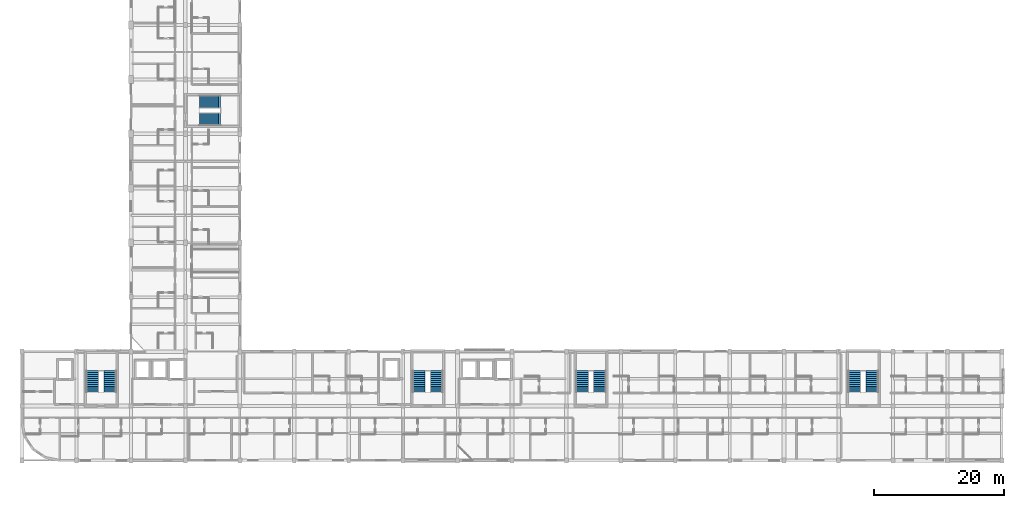
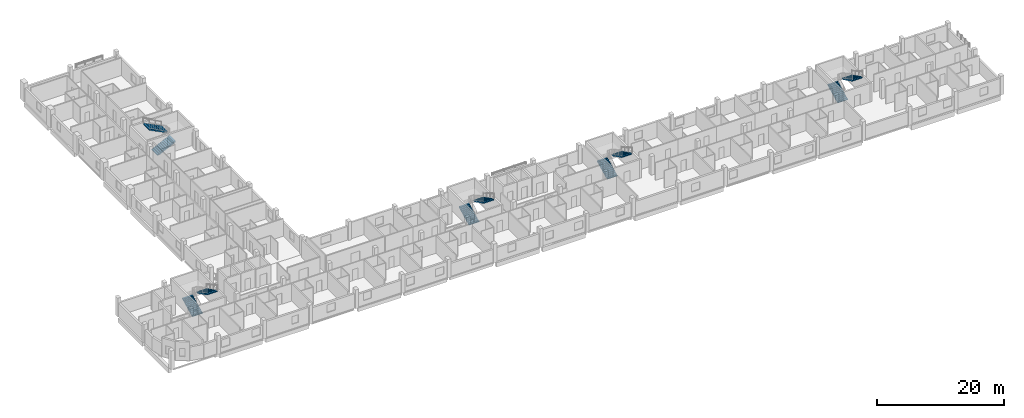
# One storey, part 24 of 26: 10 stair flights, 5 elements without a shape of their own.
"""IFC4 building model written with IfcOpenShell, lengths in metres."""

from ifc_helpers import new_model, si_unit, derived_unit, direction, frame, origin, place, context, subcontext, project, spatial, polyline, outline, extrude, material, type_object, element, aggregate, save


model = new_model("IFC4")

# Units and contexts
model_context = context("Model", 3, precision=1e-05, world=origin(), true_north=direction((0.0, 1.0)))
body_context = subcontext(model_context, "Body", "Model", "MODEL_VIEW")
ifc_project = project(units=[si_unit("LENGTHUNIT", "METRE"), si_unit("AREAUNIT", "SQUARE_METRE"), si_unit("VOLUMEUNIT", "CUBIC_METRE"), si_unit("PLANEANGLEUNIT", "RADIAN"), si_unit("MASSUNIT", "GRAM", prefix="KILO"), derived_unit("THERMALTRANSMITTANCEUNIT", [(si_unit("POWERUNIT", "WATT"), 1), (si_unit("LENGTHUNIT", "METRE"), -2), (si_unit("THERMODYNAMICTEMPERATUREUNIT", "KELVIN"), -1)])], contexts=[model_context])

# Site, building, storey
site_placement = place(None, origin())
site = spatial("IfcSite", under=ifc_project, at=site_placement, CompositionType="ELEMENT")
building_placement = place(site_placement, origin())
building = spatial("IfcBuilding", under=site, at=building_placement, Name="Barrovel Congress Hotel", CompositionType="ELEMENT")
storey_placement = place(building_placement, frame((0.0, 0.0, 21.89990234375)))
storey = spatial("IfcBuildingStorey", under=building, at=storey_placement, Name="L05", CompositionType="ELEMENT", Elevation=21.89990234375)

# Stair, stair flights
ifc_material = material(Name="Concrete C40", Category="concrete")
stair_type_1 = type_object("IfcStairType", Name="STR-HT-360", PredefinedType="HALF_TURN_STAIR", material=ifc_material)
stair_1_placement = place(storey_placement, origin())
stair_1 = element("IfcStair", 1, at=stair_1_placement, inside=storey, type_object=stair_type_1, Name="Exit Stair XS-01 (L05)", PredefinedType="HALF_TURN_STAIR")
stair_flight_type_1 = type_object("IfcStairFlightType", Name="SFL-200x180", PredefinedType="STRAIGHT", material=ifc_material)
stair_flight_1_placement = place(storey_placement, frame((27.679931640625, 14.739990234375, 0.0), z_axis=(0.0, 0.0, 1.0), x_axis=(0.0, 1.0, 0.0)))
stair_flight_1 = element("IfcStairFlight", 2, at=stair_flight_1_placement, type_object=stair_flight_type_1, Name="STAIR:XS-01:L05:F1", NumberOfRisers=12, NumberOfTreads=11, PredefinedType="STRAIGHT", RiserHeight=0.15, TreadLength=0.3, context=body_context, shape_type="SweptSolid", body=[
    extrude(outline(polyline([(0.0, 0.0), (0.0, 0.14990234375), (0.300048828125, 0.14990234375), (0.300048828125, 0.300048828125), (0.60009765625, 0.300048828125), (0.60009765625, 0.449951171875), (0.89990234375, 0.449951171875), (0.89990234375, 0.60009765625), (1.199951171875, 0.60009765625), (1.199951171875, 0.75), (1.5, 0.75), (1.5, 0.89990234375), (1.800048828125, 0.89990234375), (1.800048828125, 1.050048828125), (2.10009765625, 1.050048828125), (2.10009765625, 1.199951171875), (2.39990234375, 1.199951171875), (2.39990234375, 1.35009765625), (2.699951171875, 1.35009765625), (2.699951171875, 1.5), (3.0, 1.5), (3.0, 1.64990234375), (3.300048828125, 1.64990234375), (3.300048828125, 1.800048828125), (3.300048828125, 1.44873046875), (0.40234375, 0.0), (0.0, 0.0)])), frame((0.0, 0.919921875, 0.0), z_axis=(0.0, -1.0, 0.0), x_axis=(1.0, 0.0, 0.0)), (0.0, 0.0, 1.0), 1.840087890625),
])
stair_flight_2_placement = place(storey_placement, frame((30.320068359375, 18.0400390625, 1.800048828125), z_axis=(0.0, 0.0, 1.0), x_axis=(0.0, -1.0, 0.0)))
stair_flight_2 = element("IfcStairFlight", 3, at=stair_flight_2_placement, type_object=stair_flight_type_1, Name="STAIR:XS-01:L05:F2", NumberOfRisers=12, NumberOfTreads=11, PredefinedType="STRAIGHT", RiserHeight=0.15, TreadLength=0.3, context=body_context, shape_type="SweptSolid", body=[
    extrude(outline(polyline([(0.0, 0.0), (0.0, 0.14990234375), (0.300048828125, 0.14990234375), (0.300048828125, 0.300048828125), (0.60009765625, 0.300048828125), (0.60009765625, 0.449951171875), (0.89990234375, 0.449951171875), (0.89990234375, 0.60009765625), (1.199951171875, 0.60009765625), (1.199951171875, 0.75), (1.5, 0.75), (1.5, 0.89990234375), (1.800048828125, 0.89990234375), (1.800048828125, 1.050048828125), (2.10009765625, 1.050048828125), (2.10009765625, 1.199951171875), (2.39990234375, 1.199951171875), (2.39990234375, 1.35009765625), (2.699951171875, 1.35009765625), (2.699951171875, 1.5), (3.0, 1.5), (3.0, 1.64990234375), (3.300048828125, 1.64990234375), (3.300048828125, 1.800048828125), (3.300048828125, 1.44873046875), (0.40234375, 0.0), (0.0, 0.0)])), frame((0.0, 0.919921875, 0.0), z_axis=(0.0, -1.0, 0.0), x_axis=(1.0, 0.0, 0.0)), (0.0, 0.0, 1.0), 1.840087890625),
])
aggregate(stair_1, [stair_flight_1, stair_flight_2])

stair_2_placement = place(storey_placement, origin())
stair_2 = element("IfcStair", 4, at=stair_2_placement, inside=storey, type_object=stair_type_1, Name="Exit Stair XS-02 (L05)", PredefinedType="HALF_TURN_STAIR")
stair_flight_3_placement = place(storey_placement, frame((78.080078125, 14.739990234375, 0.0), z_axis=(0.0, 0.0, 1.0), x_axis=(0.0, 1.0, 0.0)))
stair_flight_3 = element("IfcStairFlight", 5, at=stair_flight_3_placement, type_object=stair_flight_type_1, Name="STAIR:XS-02:L05:F1", NumberOfRisers=12, NumberOfTreads=11, PredefinedType="STRAIGHT", RiserHeight=0.15, TreadLength=0.3, context=body_context, shape_type="SweptSolid", body=[
    extrude(outline(polyline([(0.0, 0.0), (0.0, 0.14990234375), (0.300048828125, 0.14990234375), (0.300048828125, 0.300048828125), (0.60009765625, 0.300048828125), (0.60009765625, 0.449951171875), (0.89990234375, 0.449951171875), (0.89990234375, 0.60009765625), (1.199951171875, 0.60009765625), (1.199951171875, 0.75), (1.5, 0.75), (1.5, 0.89990234375), (1.800048828125, 0.89990234375), (1.800048828125, 1.050048828125), (2.10009765625, 1.050048828125), (2.10009765625, 1.199951171875), (2.39990234375, 1.199951171875), (2.39990234375, 1.35009765625), (2.699951171875, 1.35009765625), (2.699951171875, 1.5), (3.0, 1.5), (3.0, 1.64990234375), (3.300048828125, 1.64990234375), (3.300048828125, 1.800048828125), (3.300048828125, 1.44873046875), (0.40234375, 0.0), (0.0, 0.0)])), frame((0.0, 0.919921875, 0.0), z_axis=(0.0, -1.0, 0.0), x_axis=(1.0, 0.0, 0.0)), (0.0, 0.0, 1.0), 1.840087890625),
])
stair_flight_4_placement = place(storey_placement, frame((80.719970703125, 18.0400390625, 1.800048828125), z_axis=(0.0, 0.0, 1.0), x_axis=(0.0, -1.0, 0.0)))
stair_flight_4 = element("IfcStairFlight", 6, at=stair_flight_4_placement, type_object=stair_flight_type_1, Name="STAIR:XS-02:L05:F2", NumberOfRisers=12, NumberOfTreads=11, PredefinedType="STRAIGHT", RiserHeight=0.15, TreadLength=0.3, context=body_context, shape_type="SweptSolid", body=[
    extrude(outline(polyline([(0.0, 0.0), (0.0, 0.14990234375), (0.300048828125, 0.14990234375), (0.300048828125, 0.300048828125), (0.60009765625, 0.300048828125), (0.60009765625, 0.449951171875), (0.89990234375, 0.449951171875), (0.89990234375, 0.60009765625), (1.199951171875, 0.60009765625), (1.199951171875, 0.75), (1.5, 0.75), (1.5, 0.89990234375), (1.800048828125, 0.89990234375), (1.800048828125, 1.050048828125), (2.10009765625, 1.050048828125), (2.10009765625, 1.199951171875), (2.39990234375, 1.199951171875), (2.39990234375, 1.35009765625), (2.699951171875, 1.35009765625), (2.699951171875, 1.5), (3.0, 1.5), (3.0, 1.64990234375), (3.300048828125, 1.64990234375), (3.300048828125, 1.800048828125), (3.300048828125, 1.44873046875), (0.40234375, 0.0), (0.0, 0.0)])), frame((0.0, 0.919921875, 0.0), z_axis=(0.0, -1.0, 0.0), x_axis=(1.0, 0.0, 0.0)), (0.0, 0.0, 1.0), 1.840087890625),
])
aggregate(stair_2, [stair_flight_3, stair_flight_4])

stair_3_placement = place(storey_placement, origin())
stair_3 = element("IfcStair", 7, at=stair_3_placement, inside=storey, type_object=stair_type_1, Name="Exit Stair XS-03 (L05)", PredefinedType="HALF_TURN_STAIR")
stair_flight_5_placement = place(storey_placement, frame((103.280029296875, 14.739990234375, 0.0), z_axis=(0.0, 0.0, 1.0), x_axis=(0.0, 1.0, 0.0)))
stair_flight_5 = element("IfcStairFlight", 8, at=stair_flight_5_placement, type_object=stair_flight_type_1, Name="STAIR:XS-03:L05:F1", NumberOfRisers=12, NumberOfTreads=11, PredefinedType="STRAIGHT", RiserHeight=0.15, TreadLength=0.3, context=body_context, shape_type="SweptSolid", body=[
    extrude(outline(polyline([(0.0, 0.0), (0.0, 0.14990234375), (0.300048828125, 0.14990234375), (0.300048828125, 0.300048828125), (0.60009765625, 0.300048828125), (0.60009765625, 0.449951171875), (0.89990234375, 0.449951171875), (0.89990234375, 0.60009765625), (1.199951171875, 0.60009765625), (1.199951171875, 0.75), (1.5, 0.75), (1.5, 0.89990234375), (1.800048828125, 0.89990234375), (1.800048828125, 1.050048828125), (2.10009765625, 1.050048828125), (2.10009765625, 1.199951171875), (2.39990234375, 1.199951171875), (2.39990234375, 1.35009765625), (2.699951171875, 1.35009765625), (2.699951171875, 1.5), (3.0, 1.5), (3.0, 1.64990234375), (3.300048828125, 1.64990234375), (3.300048828125, 1.800048828125), (3.300048828125, 1.44873046875), (0.40234375, 0.0), (0.0, 0.0)])), frame((0.0, 0.919921875, 0.0), z_axis=(0.0, -1.0, 0.0), x_axis=(1.0, 0.0, 0.0)), (0.0, 0.0, 1.0), 1.840087890625),
])
stair_flight_6_placement = place(storey_placement, frame((105.919921875, 18.0400390625, 1.800048828125), z_axis=(0.0, 0.0, 1.0), x_axis=(0.0, -1.0, 0.0)))
stair_flight_6 = element("IfcStairFlight", 9, at=stair_flight_6_placement, type_object=stair_flight_type_1, Name="STAIR:XS-03:L05:F2", NumberOfRisers=12, NumberOfTreads=11, PredefinedType="STRAIGHT", RiserHeight=0.15, TreadLength=0.3, context=body_context, shape_type="SweptSolid", body=[
    extrude(outline(polyline([(0.0, 0.0), (0.0, 0.14990234375), (0.300048828125, 0.14990234375), (0.300048828125, 0.300048828125), (0.60009765625, 0.300048828125), (0.60009765625, 0.449951171875), (0.89990234375, 0.449951171875), (0.89990234375, 0.60009765625), (1.199951171875, 0.60009765625), (1.199951171875, 0.75), (1.5, 0.75), (1.5, 0.89990234375), (1.800048828125, 0.89990234375), (1.800048828125, 1.050048828125), (2.10009765625, 1.050048828125), (2.10009765625, 1.199951171875), (2.39990234375, 1.199951171875), (2.39990234375, 1.35009765625), (2.699951171875, 1.35009765625), (2.699951171875, 1.5), (3.0, 1.5), (3.0, 1.64990234375), (3.300048828125, 1.64990234375), (3.300048828125, 1.800048828125), (3.300048828125, 1.44873046875), (0.40234375, 0.0), (0.0, 0.0)])), frame((0.0, 0.919921875, 0.0), z_axis=(0.0, -1.0, 0.0), x_axis=(1.0, 0.0, 0.0)), (0.0, 0.0, 1.0), 1.840087890625),
])
aggregate(stair_3, [stair_flight_5, stair_flight_6])

stair_4_placement = place(storey_placement, origin())
stair_4 = element("IfcStair", 10, at=stair_4_placement, inside=storey, type_object=stair_type_1, Name="Exit Stair XS-04 (L05)", PredefinedType="HALF_TURN_STAIR")
stair_flight_7_placement = place(storey_placement, frame((145.280029296875, 14.739990234375, 0.0), z_axis=(0.0, 0.0, 1.0), x_axis=(0.0, 1.0, 0.0)))
stair_flight_7 = element("IfcStairFlight", 11, at=stair_flight_7_placement, type_object=stair_flight_type_1, Name="STAIR:XS-04:L05:F1", NumberOfRisers=12, NumberOfTreads=11, PredefinedType="STRAIGHT", RiserHeight=0.15, TreadLength=0.3, context=body_context, shape_type="SweptSolid", body=[
    extrude(outline(polyline([(0.0, 0.0), (0.0, 0.14990234375), (0.300048828125, 0.14990234375), (0.300048828125, 0.300048828125), (0.60009765625, 0.300048828125), (0.60009765625, 0.449951171875), (0.89990234375, 0.449951171875), (0.89990234375, 0.60009765625), (1.199951171875, 0.60009765625), (1.199951171875, 0.75), (1.5, 0.75), (1.5, 0.89990234375), (1.800048828125, 0.89990234375), (1.800048828125, 1.050048828125), (2.10009765625, 1.050048828125), (2.10009765625, 1.199951171875), (2.39990234375, 1.199951171875), (2.39990234375, 1.35009765625), (2.699951171875, 1.35009765625), (2.699951171875, 1.5), (3.0, 1.5), (3.0, 1.64990234375), (3.300048828125, 1.64990234375), (3.300048828125, 1.800048828125), (3.300048828125, 1.44873046875), (0.40234375, 0.0), (0.0, 0.0)])), frame((0.0, 0.919921875, 0.0), z_axis=(0.0, -1.0, 0.0), x_axis=(1.0, 0.0, 0.0)), (0.0, 0.0, 1.0), 1.840087890625),
])
stair_flight_8_placement = place(storey_placement, frame((147.919921875, 18.0400390625, 1.800048828125), z_axis=(0.0, 0.0, 1.0), x_axis=(0.0, -1.0, 0.0)))
stair_flight_8 = element("IfcStairFlight", 12, at=stair_flight_8_placement, type_object=stair_flight_type_1, Name="STAIR:XS-04:L05:F2", NumberOfRisers=12, NumberOfTreads=11, PredefinedType="STRAIGHT", RiserHeight=0.15, TreadLength=0.3, context=body_context, shape_type="SweptSolid", body=[
    extrude(outline(polyline([(0.0, 0.0), (0.0, 0.14990234375), (0.300048828125, 0.14990234375), (0.300048828125, 0.300048828125), (0.60009765625, 0.300048828125), (0.60009765625, 0.449951171875), (0.89990234375, 0.449951171875), (0.89990234375, 0.60009765625), (1.199951171875, 0.60009765625), (1.199951171875, 0.75), (1.5, 0.75), (1.5, 0.89990234375), (1.800048828125, 0.89990234375), (1.800048828125, 1.050048828125), (2.10009765625, 1.050048828125), (2.10009765625, 1.199951171875), (2.39990234375, 1.199951171875), (2.39990234375, 1.35009765625), (2.699951171875, 1.35009765625), (2.699951171875, 1.5), (3.0, 1.5), (3.0, 1.64990234375), (3.300048828125, 1.64990234375), (3.300048828125, 1.800048828125), (3.300048828125, 1.44873046875), (0.40234375, 0.0), (0.0, 0.0)])), frame((0.0, 0.919921875, 0.0), z_axis=(0.0, -1.0, 0.0), x_axis=(1.0, 0.0, 0.0)), (0.0, 0.0, 1.0), 1.840087890625),
])
aggregate(stair_4, [stair_flight_7, stair_flight_8])

stair_type_2 = type_object("IfcStairType", Name="STR-DR-360", PredefinedType="DOUBLE_RETURN_STAIR", material=ifc_material)
stair_5_placement = place(storey_placement, origin())
stair_5 = element("IfcStair", 13, at=stair_5_placement, inside=storey, type_object=stair_type_2, Name="Exit Stair XS-05 (L05)", PredefinedType="DOUBLE_RETURN_STAIR")
stair_flight_type_2 = type_object("IfcStairFlightType", Name="SFL-205x180", PredefinedType="STRAIGHT", material=ifc_material)
stair_flight_9_placement = place(storey_placement, frame((44.139892578125, 56.889892578125, 0.0), z_axis=(0.0, 0.0, 1.0), x_axis=(1.0, 0.0, 0.0)))
stair_flight_9 = element("IfcStairFlight", 14, at=stair_flight_9_placement, type_object=stair_flight_type_2, Name="STAIR:XS-05:L05:F1", NumberOfRisers=12, NumberOfTreads=11, PredefinedType="STRAIGHT", RiserHeight=0.15, TreadLength=0.3, context=body_context, shape_type="SweptSolid", body=[
    extrude(outline(polyline([(0.0, 0.0), (0.0, 0.14990234375), (0.300048828125, 0.14990234375), (0.300048828125, 0.300048828125), (0.60009765625, 0.300048828125), (0.60009765625, 0.449951171875), (0.89990234375, 0.449951171875), (0.89990234375, 0.60009765625), (1.199951171875, 0.60009765625), (1.199951171875, 0.75), (1.5, 0.75), (1.5, 0.89990234375), (1.800048828125, 0.89990234375), (1.800048828125, 1.050048828125), (2.10009765625, 1.050048828125), (2.10009765625, 1.199951171875), (2.39990234375, 1.199951171875), (2.39990234375, 1.35009765625), (2.699951171875, 1.35009765625), (2.699951171875, 1.5), (3.0, 1.5), (3.0, 1.64990234375), (3.300048828125, 1.64990234375), (3.300048828125, 1.800048828125), (3.300048828125, 1.44873046875), (0.40234375, 0.0), (0.0, 0.0)])), frame((0.0, 0.93017578125, 0.0), z_axis=(0.0, -1.0, 0.0), x_axis=(1.0, 0.0, 0.0)), (0.0, 0.0, 1.0), 1.860107421875),
])
stair_flight_10_placement = place(storey_placement, frame((47.43994140625, 59.510009765625, 1.800048828125), z_axis=(0.0, 0.0, 1.0), x_axis=(-1.0, 0.0, 0.0)))
stair_flight_10 = element("IfcStairFlight", 15, at=stair_flight_10_placement, type_object=stair_flight_type_2, Name="STAIR:XS-05:L05:F2", NumberOfRisers=12, NumberOfTreads=11, PredefinedType="STRAIGHT", RiserHeight=0.15, TreadLength=0.3, context=body_context, shape_type="SweptSolid", body=[
    extrude(outline(polyline([(0.0, 0.0), (0.0, 0.14990234375), (0.300048828125, 0.14990234375), (0.300048828125, 0.300048828125), (0.60009765625, 0.300048828125), (0.60009765625, 0.449951171875), (0.89990234375, 0.449951171875), (0.89990234375, 0.60009765625), (1.199951171875, 0.60009765625), (1.199951171875, 0.75), (1.5, 0.75), (1.5, 0.89990234375), (1.800048828125, 0.89990234375), (1.800048828125, 1.050048828125), (2.10009765625, 1.050048828125), (2.10009765625, 1.199951171875), (2.39990234375, 1.199951171875), (2.39990234375, 1.35009765625), (2.699951171875, 1.35009765625), (2.699951171875, 1.5), (3.0, 1.5), (3.0, 1.64990234375), (3.300048828125, 1.64990234375), (3.300048828125, 1.800048828125), (3.300048828125, 1.44873046875), (0.40234375, 0.0), (0.0, 0.0)])), frame((0.0, 0.93017578125, 0.0), z_axis=(0.0, -1.0, 0.0), x_axis=(1.0, 0.0, 0.0)), (0.0, 0.0, 1.0), 1.860107421875),
])
aggregate(stair_5, [stair_flight_9, stair_flight_10])

save(model, "model.ifc")
